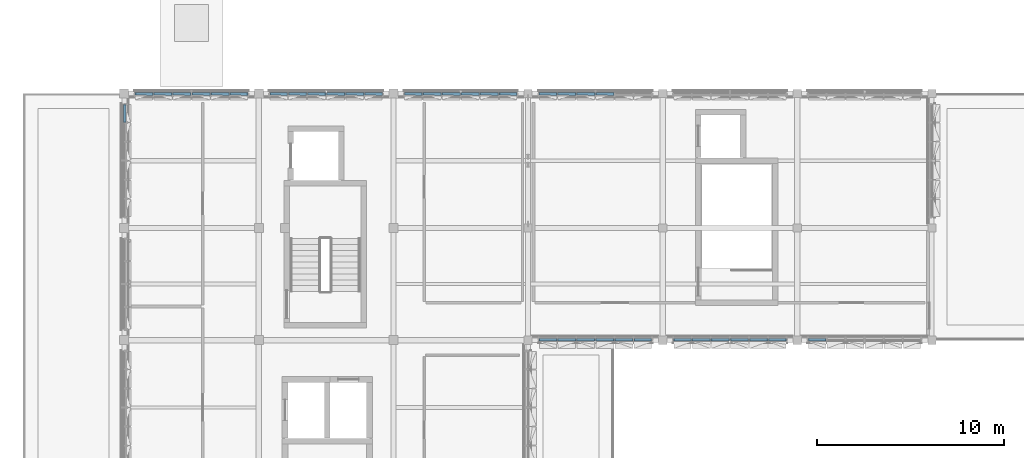
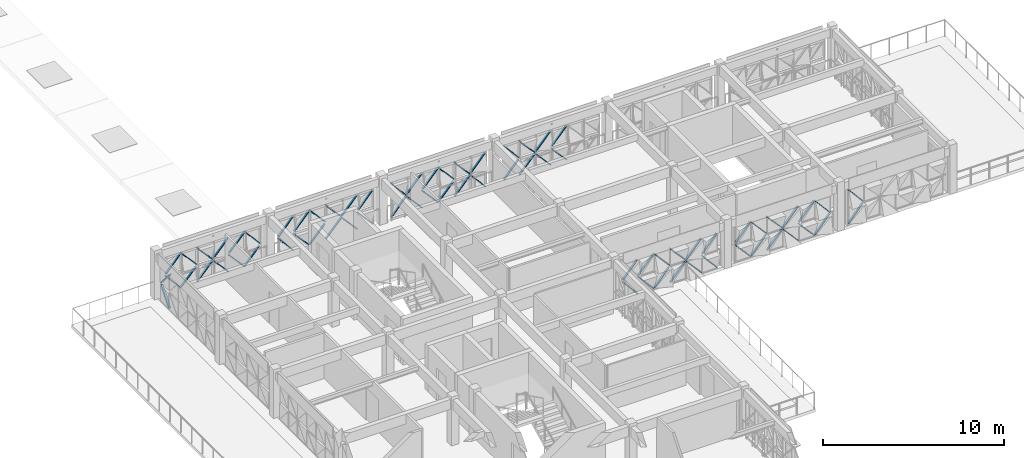
# One storey, part 23 of 35: 72 discrete accessories.
"""IFC4 building model written with IfcOpenShell, lengths in metres."""

from ifc_helpers import new_model, si_unit, direction, frame, origin, origin_2d, place, context, subcontext, project, spatial, rectangle, extrude, material, type_object, element, save


model = new_model("IFC4")

# Units and contexts
model_context = context("Model", 3, precision=1e-05, world=origin(), true_north=direction((0.0, 1.0)))
body_context = subcontext(model_context, "Body", "Model", "MODEL_VIEW")
ifc_project = project(units=[si_unit("LENGTHUNIT", "METRE"), si_unit("AREAUNIT", "SQUARE_METRE"), si_unit("VOLUMEUNIT", "CUBIC_METRE"), si_unit("PLANEANGLEUNIT", "RADIAN"), si_unit("MASSUNIT", "GRAM", prefix="KILO")], contexts=[model_context])

# Site, building, storey
site_placement = place(None, origin())
site = spatial("IfcSite", under=ifc_project, at=site_placement, CompositionType="ELEMENT")
building_placement = place(site_placement, origin())
building = spatial("IfcBuilding", under=site, at=building_placement, Name="Alvorim Cloister Faculty of Sciences", CompositionType="ELEMENT")
storey_placement = place(building_placement, frame((0.0, 0.0, 22.949951171875)))
storey = spatial("IfcBuildingStorey", under=building, at=storey_placement, Name="L06", CompositionType="ELEMENT", Elevation=22.949951171875)

# Discrete accessories
ifc_material = material(Name="Aluminium Alloy 6063-T6", Category="aluminium")
discrete_accessory_type = type_object("IfcDiscreteAccessoryType", Name="ACC-DIAG-BAR", PredefinedType="BRACKET", material=ifc_material)
discrete_accessory_1_placement = place(storey_placement, frame((7.222412109375, 54.87255859375, 0.14013671875), z_axis=(0.007104747368, 0.654676476964, 0.755875805325), x_axis=(-0.999941118963, 0.010851663811, 0.0)))
element("IfcDiscreteAccessory", 1, at=discrete_accessory_1_placement, inside=storey, type_object=discrete_accessory_type, Name="Diagonal Cassette Glazing Bracket ACC-02676", PredefinedType="BRACKET", context=body_context, shape_type="SweptSolid", body=[
    extrude(rectangle(XDim=0.139892578125, YDim=0.044921875, at=origin_2d()), origin(), (0.0, 0.0, 1.0), 1.408935546875),
])
discrete_accessory_2_placement = place(storey_placement, frame((7.222412109375, 54.87255859375, 2.41015625), z_axis=(0.007103816842, 0.654590732436, -0.755950070306), x_axis=(-0.999941118963, 0.010851663811, 0.0)))
element("IfcDiscreteAccessory", 2, at=discrete_accessory_2_placement, inside=storey, type_object=discrete_accessory_type, Name="Diagonal Cassette Glazing Bracket ACC-02677", PredefinedType="BRACKET", context=body_context, shape_type="SweptSolid", body=[
    extrude(rectangle(XDim=0.139892578125, YDim=0.044921875, at=origin_2d()), origin(), (0.0, 0.0, 1.0), 1.4091796875),
])
discrete_accessory_3_placement = place(storey_placement, frame((7.804931640625, 56.37744140625, 1.205078125), z_axis=(0.654775475811, -0.007103941389, -0.755790057022), x_axis=(0.010848792579, 0.999941150118, 0.0)))
element("IfcDiscreteAccessory", 3, at=discrete_accessory_3_placement, inside=storey, type_object=discrete_accessory_type, Name="Diagonal Cassette Glazing Bracket ACC-02679", PredefinedType="BRACKET", context=body_context, shape_type="SweptSolid", body=[
    extrude(rectangle(XDim=0.139892578125, YDim=0.044921875, at=origin_2d()), origin(), (0.0, 0.0, 1.0), 1.408935546875),
])
discrete_accessory_4_placement = place(storey_placement, frame((7.804931640625, 56.37744140625, 1.344970703125), z_axis=(0.654689737769, -0.00710301118, 0.755864336037), x_axis=(0.010848792579, 0.999941150118, 0.0)))
element("IfcDiscreteAccessory", 4, at=discrete_accessory_4_placement, inside=storey, type_object=discrete_accessory_type, Name="Diagonal Cassette Glazing Bracket ACC-02680", PredefinedType="BRACKET", context=body_context, shape_type="SweptSolid", body=[
    extrude(rectangle(XDim=0.139892578125, YDim=0.044921875, at=origin_2d()), origin(), (0.0, 0.0, 1.0), 1.4091796875),
])
discrete_accessory_5_placement = place(storey_placement, frame((8.79248046875, 56.37744140625, 0.14013671875), z_axis=(0.66764611748, -0.006997313603, 0.744445900933), x_axis=(0.010479997039, 0.999945083323, 0.0)))
element("IfcDiscreteAccessory", 5, at=discrete_accessory_5_placement, inside=storey, type_object=discrete_accessory_type, Name="Diagonal Cassette Glazing Bracket ACC-02681", PredefinedType="BRACKET", context=body_context, shape_type="SweptSolid", body=[
    extrude(rectangle(XDim=0.139892578125, YDim=0.044921875, at=origin_2d()), origin(), (0.0, 0.0, 1.0), 1.430419921875),
])
discrete_accessory_6_placement = place(storey_placement, frame((8.79248046875, 56.37744140625, 2.41015625), z_axis=(0.667561298321, -0.00699642465, -0.744521969472), x_axis=(0.010479997039, 0.999945083323, 0.0)))
element("IfcDiscreteAccessory", 6, at=discrete_accessory_6_placement, inside=storey, type_object=discrete_accessory_type, Name="Diagonal Cassette Glazing Bracket ACC-02682", PredefinedType="BRACKET", context=body_context, shape_type="SweptSolid", body=[
    extrude(rectangle(XDim=0.139892578125, YDim=0.044921875, at=origin_2d()), origin(), (0.0, 0.0, 1.0), 1.4306640625),
])
discrete_accessory_7_placement = place(storey_placement, frame((9.8125, 56.37744140625, 0.14013671875), z_axis=(0.66764611748, -0.006997313603, 0.744445900933), x_axis=(0.010479997039, 0.999945083323, 0.0)))
element("IfcDiscreteAccessory", 7, at=discrete_accessory_7_placement, inside=storey, type_object=discrete_accessory_type, Name="Diagonal Cassette Glazing Bracket ACC-02683", PredefinedType="BRACKET", context=body_context, shape_type="SweptSolid", body=[
    extrude(rectangle(XDim=0.139892578125, YDim=0.044921875, at=origin_2d()), origin(), (0.0, 0.0, 1.0), 1.430419921875),
])
discrete_accessory_8_placement = place(storey_placement, frame((9.8125, 56.37744140625, 2.41015625), z_axis=(0.667561298321, -0.00699642465, -0.744521969472), x_axis=(0.010479997039, 0.999945083323, 0.0)))
element("IfcDiscreteAccessory", 8, at=discrete_accessory_8_placement, inside=storey, type_object=discrete_accessory_type, Name="Diagonal Cassette Glazing Bracket ACC-02684", PredefinedType="BRACKET", context=body_context, shape_type="SweptSolid", body=[
    extrude(rectangle(XDim=0.139892578125, YDim=0.044921875, at=origin_2d()), origin(), (0.0, 0.0, 1.0), 1.4306640625),
])
discrete_accessory_9_placement = place(storey_placement, frame((10.83251953125, 56.37744140625, 1.205078125), z_axis=(0.66764611748, -0.006997313603, -0.744445900933), x_axis=(0.010479997039, 0.999945083323, 0.0)))
element("IfcDiscreteAccessory", 9, at=discrete_accessory_9_placement, inside=storey, type_object=discrete_accessory_type, Name="Diagonal Cassette Glazing Bracket ACC-02685", PredefinedType="BRACKET", context=body_context, shape_type="SweptSolid", body=[
    extrude(rectangle(XDim=0.139892578125, YDim=0.044921875, at=origin_2d()), origin(), (0.0, 0.0, 1.0), 1.430419921875),
])
discrete_accessory_10_placement = place(storey_placement, frame((10.83251953125, 56.37744140625, 1.344970703125), z_axis=(0.667561298321, -0.00699642465, 0.744521969472), x_axis=(0.010479997039, 0.999945083323, 0.0)))
element("IfcDiscreteAccessory", 10, at=discrete_accessory_10_placement, inside=storey, type_object=discrete_accessory_type, Name="Diagonal Cassette Glazing Bracket ACC-02686", PredefinedType="BRACKET", context=body_context, shape_type="SweptSolid", body=[
    extrude(rectangle(XDim=0.139892578125, YDim=0.044921875, at=origin_2d()), origin(), (0.0, 0.0, 1.0), 1.4306640625),
])
discrete_accessory_11_placement = place(storey_placement, frame((11.8525390625, 56.37744140625, 1.205078125), z_axis=(0.66764611748, -0.006997313603, -0.744445900933), x_axis=(0.010479997039, 0.999945083323, 0.0)))
element("IfcDiscreteAccessory", 11, at=discrete_accessory_11_placement, inside=storey, type_object=discrete_accessory_type, Name="Diagonal Cassette Glazing Bracket ACC-02687", PredefinedType="BRACKET", context=body_context, shape_type="SweptSolid", body=[
    extrude(rectangle(XDim=0.139892578125, YDim=0.044921875, at=origin_2d()), origin(), (0.0, 0.0, 1.0), 1.430419921875),
])
discrete_accessory_12_placement = place(storey_placement, frame((11.8525390625, 56.37744140625, 1.344970703125), z_axis=(0.667561298321, -0.00699642465, 0.744521969472), x_axis=(0.010479997039, 0.999945083323, 0.0)))
element("IfcDiscreteAccessory", 12, at=discrete_accessory_12_placement, inside=storey, type_object=discrete_accessory_type, Name="Diagonal Cassette Glazing Bracket ACC-02688", PredefinedType="BRACKET", context=body_context, shape_type="SweptSolid", body=[
    extrude(rectangle(XDim=0.139892578125, YDim=0.044921875, at=origin_2d()), origin(), (0.0, 0.0, 1.0), 1.4306640625),
])
discrete_accessory_13_placement = place(storey_placement, frame((12.87255859375, 56.37744140625, 0.14013671875), z_axis=(0.654676476964, -0.007104747368, 0.755875805325), x_axis=(0.010851663811, 0.999941118963, 0.0)))
element("IfcDiscreteAccessory", 13, at=discrete_accessory_13_placement, inside=storey, type_object=discrete_accessory_type, Name="Diagonal Cassette Glazing Bracket ACC-02689", PredefinedType="BRACKET", context=body_context, shape_type="SweptSolid", body=[
    extrude(rectangle(XDim=0.139892578125, YDim=0.044921875, at=origin_2d()), origin(), (0.0, 0.0, 1.0), 1.408935546875),
])
discrete_accessory_14_placement = place(storey_placement, frame((12.87255859375, 56.37744140625, 2.41015625), z_axis=(0.654590732436, -0.007103816842, -0.755950070306), x_axis=(0.010851663811, 0.999941118963, 0.0)))
element("IfcDiscreteAccessory", 14, at=discrete_accessory_14_placement, inside=storey, type_object=discrete_accessory_type, Name="Diagonal Cassette Glazing Bracket ACC-02690", PredefinedType="BRACKET", context=body_context, shape_type="SweptSolid", body=[
    extrude(rectangle(XDim=0.139892578125, YDim=0.044921875, at=origin_2d()), origin(), (0.0, 0.0, 1.0), 1.4091796875),
])
discrete_accessory_15_placement = place(storey_placement, frame((15.0048828125, 56.37744140625, 1.205078125), z_axis=(0.654775475811, -0.007103941389, -0.755790057022), x_axis=(0.010848792579, 0.999941150118, 0.0)))
element("IfcDiscreteAccessory", 15, at=discrete_accessory_15_placement, inside=storey, type_object=discrete_accessory_type, Name="Diagonal Cassette Glazing Bracket ACC-02692", PredefinedType="BRACKET", context=body_context, shape_type="SweptSolid", body=[
    extrude(rectangle(XDim=0.139892578125, YDim=0.044921875, at=origin_2d()), origin(), (0.0, 0.0, 1.0), 1.408935546875),
])
discrete_accessory_16_placement = place(storey_placement, frame((15.0048828125, 56.37744140625, 1.344970703125), z_axis=(0.654689737769, -0.00710301118, 0.755864336037), x_axis=(0.010848792579, 0.999941150118, 0.0)))
element("IfcDiscreteAccessory", 16, at=discrete_accessory_16_placement, inside=storey, type_object=discrete_accessory_type, Name="Diagonal Cassette Glazing Bracket ACC-02693", PredefinedType="BRACKET", context=body_context, shape_type="SweptSolid", body=[
    extrude(rectangle(XDim=0.139892578125, YDim=0.044921875, at=origin_2d()), origin(), (0.0, 0.0, 1.0), 1.4091796875),
])
discrete_accessory_17_placement = place(storey_placement, frame((15.992431640625, 56.37744140625, 1.205078125), z_axis=(0.66764611748, -0.006997313603, -0.744445900933), x_axis=(0.010479997039, 0.999945083323, 0.0)))
element("IfcDiscreteAccessory", 17, at=discrete_accessory_17_placement, inside=storey, type_object=discrete_accessory_type, Name="Diagonal Cassette Glazing Bracket ACC-02694", PredefinedType="BRACKET", context=body_context, shape_type="SweptSolid", body=[
    extrude(rectangle(XDim=0.139892578125, YDim=0.044921875, at=origin_2d()), origin(), (0.0, 0.0, 1.0), 1.430419921875),
])
discrete_accessory_18_placement = place(storey_placement, frame((15.992431640625, 56.37744140625, 1.344970703125), z_axis=(0.667561298321, -0.00699642465, 0.744521969472), x_axis=(0.010479997039, 0.999945083323, 0.0)))
element("IfcDiscreteAccessory", 18, at=discrete_accessory_18_placement, inside=storey, type_object=discrete_accessory_type, Name="Diagonal Cassette Glazing Bracket ACC-02695", PredefinedType="BRACKET", context=body_context, shape_type="SweptSolid", body=[
    extrude(rectangle(XDim=0.139892578125, YDim=0.044921875, at=origin_2d()), origin(), (0.0, 0.0, 1.0), 1.4306640625),
])
discrete_accessory_19_placement = place(storey_placement, frame((17.012451171875, 56.37744140625, 0.14013671875), z_axis=(0.66764611748, -0.006997313603, 0.744445900933), x_axis=(0.010479997039, 0.999945083323, 0.0)))
element("IfcDiscreteAccessory", 19, at=discrete_accessory_19_placement, inside=storey, type_object=discrete_accessory_type, Name="Diagonal Cassette Glazing Bracket ACC-02696", PredefinedType="BRACKET", context=body_context, shape_type="SweptSolid", body=[
    extrude(rectangle(XDim=0.139892578125, YDim=0.044921875, at=origin_2d()), origin(), (0.0, 0.0, 1.0), 1.430419921875),
])
discrete_accessory_20_placement = place(storey_placement, frame((17.012451171875, 56.37744140625, 2.41015625), z_axis=(0.667561298321, -0.00699642465, -0.744521969472), x_axis=(0.010479997039, 0.999945083323, 0.0)))
element("IfcDiscreteAccessory", 20, at=discrete_accessory_20_placement, inside=storey, type_object=discrete_accessory_type, Name="Diagonal Cassette Glazing Bracket ACC-02697", PredefinedType="BRACKET", context=body_context, shape_type="SweptSolid", body=[
    extrude(rectangle(XDim=0.139892578125, YDim=0.044921875, at=origin_2d()), origin(), (0.0, 0.0, 1.0), 1.4306640625),
])
discrete_accessory_21_placement = place(storey_placement, frame((18.032470703125, 56.37744140625, 0.14013671875), z_axis=(0.66764611748, -0.006997313603, 0.744445900933), x_axis=(0.010479997039, 0.999945083323, 0.0)))
element("IfcDiscreteAccessory", 21, at=discrete_accessory_21_placement, inside=storey, type_object=discrete_accessory_type, Name="Diagonal Cassette Glazing Bracket ACC-02698", PredefinedType="BRACKET", context=body_context, shape_type="SweptSolid", body=[
    extrude(rectangle(XDim=0.139892578125, YDim=0.044921875, at=origin_2d()), origin(), (0.0, 0.0, 1.0), 1.430419921875),
])
discrete_accessory_22_placement = place(storey_placement, frame((18.032470703125, 56.37744140625, 2.41015625), z_axis=(0.667561298321, -0.00699642465, -0.744521969472), x_axis=(0.010479997039, 0.999945083323, 0.0)))
element("IfcDiscreteAccessory", 22, at=discrete_accessory_22_placement, inside=storey, type_object=discrete_accessory_type, Name="Diagonal Cassette Glazing Bracket ACC-02699", PredefinedType="BRACKET", context=body_context, shape_type="SweptSolid", body=[
    extrude(rectangle(XDim=0.139892578125, YDim=0.044921875, at=origin_2d()), origin(), (0.0, 0.0, 1.0), 1.4306640625),
])
discrete_accessory_23_placement = place(storey_placement, frame((19.052490234375, 56.37744140625, 1.205078125), z_axis=(0.66764611748, -0.006997313603, -0.744445900933), x_axis=(0.010479997039, 0.999945083323, 0.0)))
element("IfcDiscreteAccessory", 23, at=discrete_accessory_23_placement, inside=storey, type_object=discrete_accessory_type, Name="Diagonal Cassette Glazing Bracket ACC-02700", PredefinedType="BRACKET", context=body_context, shape_type="SweptSolid", body=[
    extrude(rectangle(XDim=0.139892578125, YDim=0.044921875, at=origin_2d()), origin(), (0.0, 0.0, 1.0), 1.430419921875),
])
discrete_accessory_24_placement = place(storey_placement, frame((19.052490234375, 56.37744140625, 1.344970703125), z_axis=(0.667561298321, -0.00699642465, 0.744521969472), x_axis=(0.010479997039, 0.999945083323, 0.0)))
element("IfcDiscreteAccessory", 24, at=discrete_accessory_24_placement, inside=storey, type_object=discrete_accessory_type, Name="Diagonal Cassette Glazing Bracket ACC-02701", PredefinedType="BRACKET", context=body_context, shape_type="SweptSolid", body=[
    extrude(rectangle(XDim=0.139892578125, YDim=0.044921875, at=origin_2d()), origin(), (0.0, 0.0, 1.0), 1.4306640625),
])
discrete_accessory_25_placement = place(storey_placement, frame((20.072509765625, 56.37744140625, 1.205078125), z_axis=(0.654775475811, -0.007103941389, -0.755790057022), x_axis=(0.010848792579, 0.999941150118, 0.0)))
element("IfcDiscreteAccessory", 25, at=discrete_accessory_25_placement, inside=storey, type_object=discrete_accessory_type, Name="Diagonal Cassette Glazing Bracket ACC-02702", PredefinedType="BRACKET", context=body_context, shape_type="SweptSolid", body=[
    extrude(rectangle(XDim=0.139892578125, YDim=0.044921875, at=origin_2d()), origin(), (0.0, 0.0, 1.0), 1.408935546875),
])
discrete_accessory_26_placement = place(storey_placement, frame((20.072509765625, 56.37744140625, 1.344970703125), z_axis=(0.654689737769, -0.00710301118, 0.755864336037), x_axis=(0.010848792579, 0.999941150118, 0.0)))
element("IfcDiscreteAccessory", 26, at=discrete_accessory_26_placement, inside=storey, type_object=discrete_accessory_type, Name="Diagonal Cassette Glazing Bracket ACC-02703", PredefinedType="BRACKET", context=body_context, shape_type="SweptSolid", body=[
    extrude(rectangle(XDim=0.139892578125, YDim=0.044921875, at=origin_2d()), origin(), (0.0, 0.0, 1.0), 1.4091796875),
])
discrete_accessory_27_placement = place(storey_placement, frame((22.205078125, 56.37744140625, 0.14013671875), z_axis=(0.654676476964, -0.007104747368, 0.755875805325), x_axis=(0.010851663811, 0.999941118963, 0.0)))
element("IfcDiscreteAccessory", 27, at=discrete_accessory_27_placement, inside=storey, type_object=discrete_accessory_type, Name="Diagonal Cassette Glazing Bracket ACC-02705", PredefinedType="BRACKET", context=body_context, shape_type="SweptSolid", body=[
    extrude(rectangle(XDim=0.139892578125, YDim=0.044921875, at=origin_2d()), origin(), (0.0, 0.0, 1.0), 1.408935546875),
])
discrete_accessory_28_placement = place(storey_placement, frame((22.205078125, 56.37744140625, 2.41015625), z_axis=(0.654590732436, -0.007103816842, -0.755950070306), x_axis=(0.010851663811, 0.999941118963, 0.0)))
element("IfcDiscreteAccessory", 28, at=discrete_accessory_28_placement, inside=storey, type_object=discrete_accessory_type, Name="Diagonal Cassette Glazing Bracket ACC-02706", PredefinedType="BRACKET", context=body_context, shape_type="SweptSolid", body=[
    extrude(rectangle(XDim=0.139892578125, YDim=0.044921875, at=origin_2d()), origin(), (0.0, 0.0, 1.0), 1.4091796875),
])
discrete_accessory_29_placement = place(storey_placement, frame((23.1923828125, 56.37744140625, 1.205078125), z_axis=(0.66764611748, -0.006997313603, -0.744445900933), x_axis=(0.010479997039, 0.999945083323, 0.0)))
element("IfcDiscreteAccessory", 29, at=discrete_accessory_29_placement, inside=storey, type_object=discrete_accessory_type, Name="Diagonal Cassette Glazing Bracket ACC-02707", PredefinedType="BRACKET", context=body_context, shape_type="SweptSolid", body=[
    extrude(rectangle(XDim=0.139892578125, YDim=0.044921875, at=origin_2d()), origin(), (0.0, 0.0, 1.0), 1.430419921875),
])
discrete_accessory_30_placement = place(storey_placement, frame((23.1923828125, 56.37744140625, 1.344970703125), z_axis=(0.667561298321, -0.00699642465, 0.744521969472), x_axis=(0.010479997039, 0.999945083323, 0.0)))
element("IfcDiscreteAccessory", 30, at=discrete_accessory_30_placement, inside=storey, type_object=discrete_accessory_type, Name="Diagonal Cassette Glazing Bracket ACC-02708", PredefinedType="BRACKET", context=body_context, shape_type="SweptSolid", body=[
    extrude(rectangle(XDim=0.139892578125, YDim=0.044921875, at=origin_2d()), origin(), (0.0, 0.0, 1.0), 1.4306640625),
])
discrete_accessory_31_placement = place(storey_placement, frame((24.21240234375, 56.37744140625, 1.205078125), z_axis=(0.66764611748, -0.006997313603, -0.744445900933), x_axis=(0.010479997039, 0.999945083323, 0.0)))
element("IfcDiscreteAccessory", 31, at=discrete_accessory_31_placement, inside=storey, type_object=discrete_accessory_type, Name="Diagonal Cassette Glazing Bracket ACC-02709", PredefinedType="BRACKET", context=body_context, shape_type="SweptSolid", body=[
    extrude(rectangle(XDim=0.139892578125, YDim=0.044921875, at=origin_2d()), origin(), (0.0, 0.0, 1.0), 1.430419921875),
])
discrete_accessory_32_placement = place(storey_placement, frame((24.21240234375, 56.37744140625, 1.344970703125), z_axis=(0.667561298321, -0.00699642465, 0.744521969472), x_axis=(0.010479997039, 0.999945083323, 0.0)))
element("IfcDiscreteAccessory", 32, at=discrete_accessory_32_placement, inside=storey, type_object=discrete_accessory_type, Name="Diagonal Cassette Glazing Bracket ACC-02710", PredefinedType="BRACKET", context=body_context, shape_type="SweptSolid", body=[
    extrude(rectangle(XDim=0.139892578125, YDim=0.044921875, at=origin_2d()), origin(), (0.0, 0.0, 1.0), 1.4306640625),
])
discrete_accessory_33_placement = place(storey_placement, frame((25.232421875, 56.37744140625, 0.14013671875), z_axis=(0.66764611748, -0.006997313603, 0.744445900933), x_axis=(0.010479997039, 0.999945083323, 0.0)))
element("IfcDiscreteAccessory", 33, at=discrete_accessory_33_placement, inside=storey, type_object=discrete_accessory_type, Name="Diagonal Cassette Glazing Bracket ACC-02711", PredefinedType="BRACKET", context=body_context, shape_type="SweptSolid", body=[
    extrude(rectangle(XDim=0.139892578125, YDim=0.044921875, at=origin_2d()), origin(), (0.0, 0.0, 1.0), 1.430419921875),
])
discrete_accessory_34_placement = place(storey_placement, frame((25.232421875, 56.37744140625, 2.41015625), z_axis=(0.667561298321, -0.00699642465, -0.744521969472), x_axis=(0.010479997039, 0.999945083323, 0.0)))
element("IfcDiscreteAccessory", 34, at=discrete_accessory_34_placement, inside=storey, type_object=discrete_accessory_type, Name="Diagonal Cassette Glazing Bracket ACC-02712", PredefinedType="BRACKET", context=body_context, shape_type="SweptSolid", body=[
    extrude(rectangle(XDim=0.139892578125, YDim=0.044921875, at=origin_2d()), origin(), (0.0, 0.0, 1.0), 1.4306640625),
])
discrete_accessory_35_placement = place(storey_placement, frame((26.25244140625, 56.37744140625, 0.14013671875), z_axis=(0.66764611748, -0.006997313603, 0.744445900933), x_axis=(0.010479997039, 0.999945083323, 0.0)))
element("IfcDiscreteAccessory", 35, at=discrete_accessory_35_placement, inside=storey, type_object=discrete_accessory_type, Name="Diagonal Cassette Glazing Bracket ACC-02713", PredefinedType="BRACKET", context=body_context, shape_type="SweptSolid", body=[
    extrude(rectangle(XDim=0.139892578125, YDim=0.044921875, at=origin_2d()), origin(), (0.0, 0.0, 1.0), 1.430419921875),
])
discrete_accessory_36_placement = place(storey_placement, frame((26.25244140625, 56.37744140625, 2.41015625), z_axis=(0.667561298321, -0.00699642465, -0.744521969472), x_axis=(0.010479997039, 0.999945083323, 0.0)))
element("IfcDiscreteAccessory", 36, at=discrete_accessory_36_placement, inside=storey, type_object=discrete_accessory_type, Name="Diagonal Cassette Glazing Bracket ACC-02714", PredefinedType="BRACKET", context=body_context, shape_type="SweptSolid", body=[
    extrude(rectangle(XDim=0.139892578125, YDim=0.044921875, at=origin_2d()), origin(), (0.0, 0.0, 1.0), 1.4306640625),
])
discrete_accessory_37_placement = place(storey_placement, frame((27.2724609375, 56.37744140625, 1.205078125), z_axis=(0.654775475811, -0.007103941389, -0.755790057022), x_axis=(0.010848792579, 0.999941150118, 0.0)))
element("IfcDiscreteAccessory", 37, at=discrete_accessory_37_placement, inside=storey, type_object=discrete_accessory_type, Name="Diagonal Cassette Glazing Bracket ACC-02715", PredefinedType="BRACKET", context=body_context, shape_type="SweptSolid", body=[
    extrude(rectangle(XDim=0.139892578125, YDim=0.044921875, at=origin_2d()), origin(), (0.0, 0.0, 1.0), 1.408935546875),
])
discrete_accessory_38_placement = place(storey_placement, frame((27.2724609375, 56.37744140625, 1.344970703125), z_axis=(0.654689737769, -0.00710301118, 0.755864336037), x_axis=(0.010848792579, 0.999941150118, 0.0)))
element("IfcDiscreteAccessory", 38, at=discrete_accessory_38_placement, inside=storey, type_object=discrete_accessory_type, Name="Diagonal Cassette Glazing Bracket ACC-02716", PredefinedType="BRACKET", context=body_context, shape_type="SweptSolid", body=[
    extrude(rectangle(XDim=0.139892578125, YDim=0.044921875, at=origin_2d()), origin(), (0.0, 0.0, 1.0), 1.4091796875),
])
discrete_accessory_39_placement = place(storey_placement, frame((29.405029296875, 56.37744140625, 0.14013671875), z_axis=(0.654676476964, -0.007104747368, 0.755875805325), x_axis=(0.010851663811, 0.999941118963, 0.0)))
element("IfcDiscreteAccessory", 39, at=discrete_accessory_39_placement, inside=storey, type_object=discrete_accessory_type, Name="Diagonal Cassette Glazing Bracket ACC-02718", PredefinedType="BRACKET", context=body_context, shape_type="SweptSolid", body=[
    extrude(rectangle(XDim=0.139892578125, YDim=0.044921875, at=origin_2d()), origin(), (0.0, 0.0, 1.0), 1.408935546875),
])
discrete_accessory_40_placement = place(storey_placement, frame((29.405029296875, 56.37744140625, 2.41015625), z_axis=(0.654590732436, -0.007103816842, -0.755950070306), x_axis=(0.010851663811, 0.999941118963, 0.0)))
element("IfcDiscreteAccessory", 40, at=discrete_accessory_40_placement, inside=storey, type_object=discrete_accessory_type, Name="Diagonal Cassette Glazing Bracket ACC-02719", PredefinedType="BRACKET", context=body_context, shape_type="SweptSolid", body=[
    extrude(rectangle(XDim=0.139892578125, YDim=0.044921875, at=origin_2d()), origin(), (0.0, 0.0, 1.0), 1.4091796875),
])
for number, where, z_axis, x_axis, name in (
    (41, (30.392578125, 56.37744140625, 0.14013671875), (0.667551509806, -0.006998110944, 0.744530730191), (0.010482676365, 0.999945055239, 0.0), "Diagonal Cassette Glazing Bracket ACC-02720"),
    (42, (30.392578125, 56.37744140625, 2.41015625), (0.667466683341, -0.006997221687, -0.744606785839), (0.010482676365, 0.999945055239, 0.0), "Diagonal Cassette Glazing Bracket ACC-02721"),
    (43, (31.41259765625, 56.37744140625, 1.205078125), (0.667551509806, -0.006998110944, -0.744530730191), (0.010482676365, 0.999945055239, 0.0), "Diagonal Cassette Glazing Bracket ACC-02722"),
    (44, (31.41259765625, 56.37744140625, 1.344970703125), (0.667466683341, -0.006997221687, 0.744606785839), (0.010482676365, 0.999945055239, 0.0), "Diagonal Cassette Glazing Bracket ACC-02723"),
    (45, (32.4326171875, 56.37744140625, 1.205078125), (0.667551509806, -0.006998110944, -0.744530730191), (0.010482676365, 0.999945055239, 0.0), "Diagonal Cassette Glazing Bracket ACC-02724"),
    (46, (32.4326171875, 56.37744140625, 1.344970703125), (0.667466683341, -0.006997221687, 0.744606785839), (0.010482676365, 0.999945055239, 0.0), "Diagonal Cassette Glazing Bracket ACC-02725"),
):
    element("IfcDiscreteAccessory", number, at=place(storey_placement, frame(where, z_axis=z_axis, x_axis=x_axis)), inside=storey, type_object=discrete_accessory_type, Name=name, PredefinedType="BRACKET", context=body_context, shape_type="SweptSolid", body=[
        extrude(rectangle(XDim=0.139892578125, YDim=0.044921875, at=origin_2d()), origin(), (0.0, 0.0, 1.0), 1.430419921875),
    ])
discrete_accessory_41_placement = place(storey_placement, frame((43.804931640625, 43.222412109375, 0.14013671875), z_axis=(0.654775475811, 0.007103941389, 0.755790057022), x_axis=(-0.010848792579, 0.999941150118, 0.0)))
element("IfcDiscreteAccessory", 47, at=discrete_accessory_41_placement, inside=storey, type_object=discrete_accessory_type, Name="Diagonal Cassette Glazing Bracket ACC-02770", PredefinedType="BRACKET", context=body_context, shape_type="SweptSolid", body=[
    extrude(rectangle(XDim=0.139892578125, YDim=0.044921875, at=origin_2d()), origin(), (0.0, 0.0, 1.0), 1.408935546875),
])
discrete_accessory_42_placement = place(storey_placement, frame((43.804931640625, 43.222412109375, 2.41015625), z_axis=(0.654689737769, 0.00710301118, -0.755864336037), x_axis=(-0.010848792579, 0.999941150118, 0.0)))
element("IfcDiscreteAccessory", 48, at=discrete_accessory_42_placement, inside=storey, type_object=discrete_accessory_type, Name="Diagonal Cassette Glazing Bracket ACC-02771", PredefinedType="BRACKET", context=body_context, shape_type="SweptSolid", body=[
    extrude(rectangle(XDim=0.139892578125, YDim=0.044921875, at=origin_2d()), origin(), (0.0, 0.0, 1.0), 1.4091796875),
])
discrete_accessory_43_placement = place(storey_placement, frame((36.60498046875, 43.222412109375, 1.205078125), z_axis=(0.654775475811, 0.007103941389, -0.755790057022), x_axis=(-0.010848792579, 0.999941150118, 0.0)))
element("IfcDiscreteAccessory", 49, at=discrete_accessory_43_placement, inside=storey, type_object=discrete_accessory_type, Name="Diagonal Cassette Glazing Bracket ACC-02783", PredefinedType="BRACKET", context=body_context, shape_type="SweptSolid", body=[
    extrude(rectangle(XDim=0.139892578125, YDim=0.044921875, at=origin_2d()), origin(), (0.0, 0.0, 1.0), 1.408935546875),
])
discrete_accessory_44_placement = place(storey_placement, frame((36.60498046875, 43.222412109375, 1.344970703125), z_axis=(0.654689737769, 0.00710301118, 0.755864336037), x_axis=(-0.010848792579, 0.999941150118, 0.0)))
element("IfcDiscreteAccessory", 50, at=discrete_accessory_44_placement, inside=storey, type_object=discrete_accessory_type, Name="Diagonal Cassette Glazing Bracket ACC-02784", PredefinedType="BRACKET", context=body_context, shape_type="SweptSolid", body=[
    extrude(rectangle(XDim=0.139892578125, YDim=0.044921875, at=origin_2d()), origin(), (0.0, 0.0, 1.0), 1.4091796875),
])
discrete_accessory_45_placement = place(storey_placement, frame((37.592529296875, 43.222412109375, 0.14013671875), z_axis=(0.66764611748, 0.006997313603, 0.744445900933), x_axis=(-0.010479997039, 0.999945083323, 0.0)))
element("IfcDiscreteAccessory", 51, at=discrete_accessory_45_placement, inside=storey, type_object=discrete_accessory_type, Name="Diagonal Cassette Glazing Bracket ACC-02785", PredefinedType="BRACKET", context=body_context, shape_type="SweptSolid", body=[
    extrude(rectangle(XDim=0.139892578125, YDim=0.044921875, at=origin_2d()), origin(), (0.0, 0.0, 1.0), 1.430419921875),
])
discrete_accessory_46_placement = place(storey_placement, frame((37.592529296875, 43.222412109375, 2.41015625), z_axis=(0.667561298321, 0.00699642465, -0.744521969472), x_axis=(-0.010479997039, 0.999945083323, 0.0)))
element("IfcDiscreteAccessory", 52, at=discrete_accessory_46_placement, inside=storey, type_object=discrete_accessory_type, Name="Diagonal Cassette Glazing Bracket ACC-02786", PredefinedType="BRACKET", context=body_context, shape_type="SweptSolid", body=[
    extrude(rectangle(XDim=0.139892578125, YDim=0.044921875, at=origin_2d()), origin(), (0.0, 0.0, 1.0), 1.4306640625),
])
for number, where, z_axis, x_axis, name in (
    (53, (38.612548828125, 43.222412109375, 0.14013671875), (0.667551509806, 0.006998110944, 0.744530730191), (-0.010482676365, 0.999945055239, 0.0), "Diagonal Cassette Glazing Bracket ACC-02787"),
    (54, (38.612548828125, 43.222412109375, 2.41015625), (0.667466683341, 0.006997221687, -0.744606785839), (-0.010482676365, 0.999945055239, 0.0), "Diagonal Cassette Glazing Bracket ACC-02788"),
    (55, (39.632568359375, 43.222412109375, 1.205078125), (0.667551509806, 0.006998110944, -0.744530730191), (-0.010482676365, 0.999945055239, 0.0), "Diagonal Cassette Glazing Bracket ACC-02789"),
    (56, (39.632568359375, 43.222412109375, 1.344970703125), (0.667466683341, 0.006997221687, 0.744606785839), (-0.010482676365, 0.999945055239, 0.0), "Diagonal Cassette Glazing Bracket ACC-02790"),
    (57, (40.652587890625, 43.222412109375, 1.205078125), (0.667551509806, 0.006998110944, -0.744530730191), (-0.010482676365, 0.999945055239, 0.0), "Diagonal Cassette Glazing Bracket ACC-02791"),
    (58, (40.652587890625, 43.222412109375, 1.344970703125), (0.667466683341, 0.006997221687, 0.744606785839), (-0.010482676365, 0.999945055239, 0.0), "Diagonal Cassette Glazing Bracket ACC-02792"),
):
    element("IfcDiscreteAccessory", number, at=place(storey_placement, frame(where, z_axis=z_axis, x_axis=x_axis)), inside=storey, type_object=discrete_accessory_type, Name=name, PredefinedType="BRACKET", context=body_context, shape_type="SweptSolid", body=[
        extrude(rectangle(XDim=0.139892578125, YDim=0.044921875, at=origin_2d()), origin(), (0.0, 0.0, 1.0), 1.430419921875),
    ])
discrete_accessory_47_placement = place(storey_placement, frame((41.672607421875, 43.222412109375, 0.14013671875), z_axis=(0.654676476964, 0.007104747368, 0.755875805325), x_axis=(-0.010851663811, 0.999941118963, 0.0)))
element("IfcDiscreteAccessory", 59, at=discrete_accessory_47_placement, inside=storey, type_object=discrete_accessory_type, Name="Diagonal Cassette Glazing Bracket ACC-02793", PredefinedType="BRACKET", context=body_context, shape_type="SweptSolid", body=[
    extrude(rectangle(XDim=0.139892578125, YDim=0.044921875, at=origin_2d()), origin(), (0.0, 0.0, 1.0), 1.408935546875),
])
discrete_accessory_48_placement = place(storey_placement, frame((41.672607421875, 43.222412109375, 2.41015625), z_axis=(0.654590732436, 0.007103816842, -0.755950070306), x_axis=(-0.010851663811, 0.999941118963, 0.0)))
element("IfcDiscreteAccessory", 60, at=discrete_accessory_48_placement, inside=storey, type_object=discrete_accessory_type, Name="Diagonal Cassette Glazing Bracket ACC-02794", PredefinedType="BRACKET", context=body_context, shape_type="SweptSolid", body=[
    extrude(rectangle(XDim=0.139892578125, YDim=0.044921875, at=origin_2d()), origin(), (0.0, 0.0, 1.0), 1.4091796875),
])
discrete_accessory_49_placement = place(storey_placement, frame((29.405029296875, 43.222412109375, 1.205078125), z_axis=(0.654676476964, 0.007104747368, -0.755875805325), x_axis=(-0.010851663811, 0.999941118963, 0.0)))
element("IfcDiscreteAccessory", 61, at=discrete_accessory_49_placement, inside=storey, type_object=discrete_accessory_type, Name="Diagonal Cassette Glazing Bracket ACC-02796", PredefinedType="BRACKET", context=body_context, shape_type="SweptSolid", body=[
    extrude(rectangle(XDim=0.139892578125, YDim=0.044921875, at=origin_2d()), origin(), (0.0, 0.0, 1.0), 1.408935546875),
])
discrete_accessory_50_placement = place(storey_placement, frame((29.405029296875, 43.222412109375, 1.344970703125), z_axis=(0.654590732436, 0.007103816842, 0.755950070306), x_axis=(-0.010851663811, 0.999941118963, 0.0)))
element("IfcDiscreteAccessory", 62, at=discrete_accessory_50_placement, inside=storey, type_object=discrete_accessory_type, Name="Diagonal Cassette Glazing Bracket ACC-02797", PredefinedType="BRACKET", context=body_context, shape_type="SweptSolid", body=[
    extrude(rectangle(XDim=0.139892578125, YDim=0.044921875, at=origin_2d()), origin(), (0.0, 0.0, 1.0), 1.4091796875),
])
for number, where, z_axis, x_axis, name in (
    (63, (30.392578125, 43.222412109375, 1.205078125), (0.667551509806, 0.006998110944, -0.744530730191), (-0.010482676365, 0.999945055239, 0.0), "Diagonal Cassette Glazing Bracket ACC-02798"),
    (64, (30.392578125, 43.222412109375, 1.344970703125), (0.667466683341, 0.006997221687, 0.744606785839), (-0.010482676365, 0.999945055239, 0.0), "Diagonal Cassette Glazing Bracket ACC-02799"),
    (65, (31.41259765625, 43.222412109375, 0.14013671875), (0.667551509806, 0.006998110944, 0.744530730191), (-0.010482676365, 0.999945055239, 0.0), "Diagonal Cassette Glazing Bracket ACC-02800"),
    (66, (31.41259765625, 43.222412109375, 2.41015625), (0.667466683341, 0.006997221687, -0.744606785839), (-0.010482676365, 0.999945055239, 0.0), "Diagonal Cassette Glazing Bracket ACC-02801"),
    (67, (32.4326171875, 43.222412109375, 0.14013671875), (0.667551509806, 0.006998110944, 0.744530730191), (-0.010482676365, 0.999945055239, 0.0), "Diagonal Cassette Glazing Bracket ACC-02802"),
    (68, (32.4326171875, 43.222412109375, 2.41015625), (0.667466683341, 0.006997221687, -0.744606785839), (-0.010482676365, 0.999945055239, 0.0), "Diagonal Cassette Glazing Bracket ACC-02803"),
    (69, (33.452392578125, 43.222412109375, 1.205078125), (0.66764611748, 0.006997313603, -0.744445900933), (-0.010479997039, 0.999945083323, 0.0), "Diagonal Cassette Glazing Bracket ACC-02804"),
):
    element("IfcDiscreteAccessory", number, at=place(storey_placement, frame(where, z_axis=z_axis, x_axis=x_axis)), inside=storey, type_object=discrete_accessory_type, Name=name, PredefinedType="BRACKET", context=body_context, shape_type="SweptSolid", body=[
        extrude(rectangle(XDim=0.139892578125, YDim=0.044921875, at=origin_2d()), origin(), (0.0, 0.0, 1.0), 1.430419921875),
    ])
discrete_accessory_51_placement = place(storey_placement, frame((33.452392578125, 43.222412109375, 1.344970703125), z_axis=(0.667561298321, 0.00699642465, 0.744521969472), x_axis=(-0.010479997039, 0.999945083323, 0.0)))
element("IfcDiscreteAccessory", 70, at=discrete_accessory_51_placement, inside=storey, type_object=discrete_accessory_type, Name="Diagonal Cassette Glazing Bracket ACC-02805", PredefinedType="BRACKET", context=body_context, shape_type="SweptSolid", body=[
    extrude(rectangle(XDim=0.139892578125, YDim=0.044921875, at=origin_2d()), origin(), (0.0, 0.0, 1.0), 1.4306640625),
])
discrete_accessory_52_placement = place(storey_placement, frame((34.472412109375, 43.222412109375, 1.205078125), z_axis=(0.654775475811, 0.007103941389, -0.755790057022), x_axis=(-0.010848792579, 0.999941150118, 0.0)))
element("IfcDiscreteAccessory", 71, at=discrete_accessory_52_placement, inside=storey, type_object=discrete_accessory_type, Name="Diagonal Cassette Glazing Bracket ACC-02806", PredefinedType="BRACKET", context=body_context, shape_type="SweptSolid", body=[
    extrude(rectangle(XDim=0.139892578125, YDim=0.044921875, at=origin_2d()), origin(), (0.0, 0.0, 1.0), 1.408935546875),
])
discrete_accessory_53_placement = place(storey_placement, frame((34.472412109375, 43.222412109375, 1.344970703125), z_axis=(0.654689737769, 0.00710301118, 0.755864336037), x_axis=(-0.010848792579, 0.999941150118, 0.0)))
element("IfcDiscreteAccessory", 72, at=discrete_accessory_53_placement, inside=storey, type_object=discrete_accessory_type, Name="Diagonal Cassette Glazing Bracket ACC-02807", PredefinedType="BRACKET", context=body_context, shape_type="SweptSolid", body=[
    extrude(rectangle(XDim=0.139892578125, YDim=0.044921875, at=origin_2d()), origin(), (0.0, 0.0, 1.0), 1.4091796875),
])

save(model, "model.ifc")
